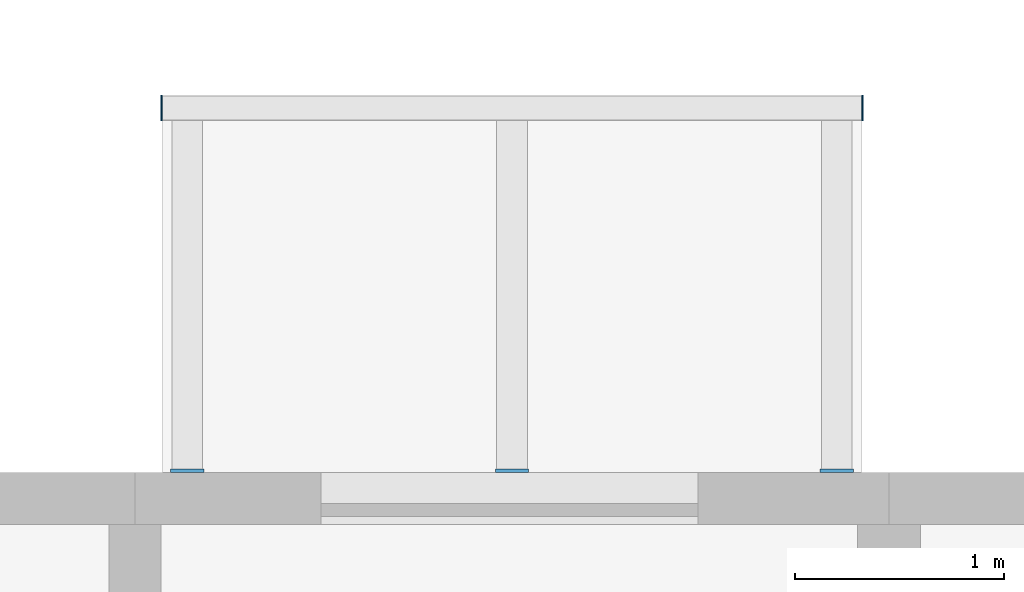
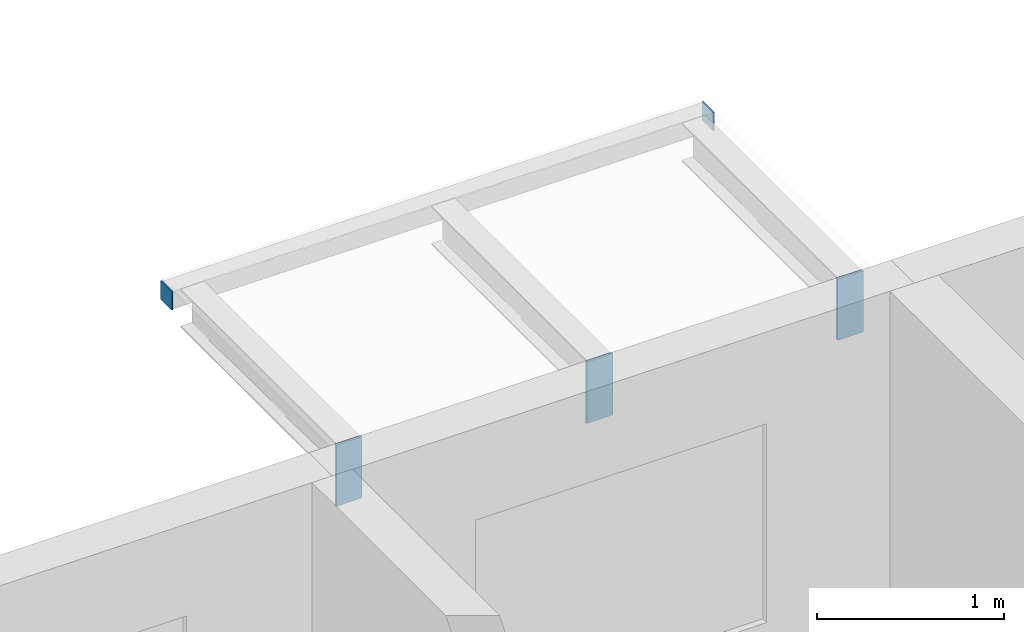
# One storey, part 86 of 115: 5 discrete accessories.
"""IFC4 building model written with IfcOpenShell, lengths in metres."""

from ifc_helpers import new_model, si_unit, direction, frame, origin, origin_2d, place, context, subcontext, project, spatial, rectangle, extrude, material, layer, layer_set, type_object, element, save


model = new_model("IFC4")

# Units and contexts
model_context = context("Model", 3, precision=1e-05, world=origin(), true_north=direction((0.0, 1.0)))
body_context = subcontext(model_context, "Body", "Model", "MODEL_VIEW")
ifc_project = project(units=[si_unit("LENGTHUNIT", "METRE"), si_unit("AREAUNIT", "SQUARE_METRE"), si_unit("VOLUMEUNIT", "CUBIC_METRE"), si_unit("PLANEANGLEUNIT", "RADIAN"), si_unit("MASSUNIT", "GRAM", prefix="KILO")], contexts=[model_context])

# Site, building, storey
site_placement = place(None, origin())
site = spatial("IfcSite", under=ifc_project, at=site_placement, CompositionType="ELEMENT")
building_placement = place(site_placement, origin())
building = spatial("IfcBuilding", under=site, at=building_placement, Name="Ridgestep Commons", CompositionType="ELEMENT")
storey_placement = place(building_placement, frame((0.0, 0.0, 6.0)))
storey = spatial("IfcBuildingStorey", under=building, at=storey_placement, Name="L02", CompositionType="ELEMENT", Elevation=6.0)

# Discrete accessories
ifc_material_1 = material(Name="Weathering steel S355J2W", Category="steel")
ifc_layer_1 = layer(ifc_material_1, 0.014892578125)
ifc_layer_set_1 = layer_set([ifc_layer_1], Name="Tray bracket plate 15")
discrete_accessory_type_1 = type_object("IfcDiscreteAccessoryType", Name="Tray bracket plate 15", PredefinedType="BRACKET", material=ifc_layer_set_1)
for number, where, z_axis, x_axis, name in (
    (1, (227.449951171875, 23.007568359375, 2.588623046875), (0.0, 0.0, 1.0), (1.0, 0.0, 0.0), "Tray bracket D5T1-03.1"),
    (2, (229.0, 23.007568359375, 2.588623046875), (0.0, 0.0, 1.0), (1.0, 0.0, 0.0), "Tray bracket D5T1-03.2"),
    (3, (230.550048828125, 23.007568359375, 2.588623046875), (0.0, 0.0, 1.0), (1.0, 0.0, 0.0), "Tray bracket D5T1-03.3"),
):
    element("IfcDiscreteAccessory", number, at=place(storey_placement, frame(where, z_axis=z_axis, x_axis=x_axis)), inside=storey, type_object=discrete_accessory_type_1, Name=name, PredefinedType="BRACKET", context=body_context, shape_type="SweptSolid", body=[
        extrude(rectangle(XDim=0.159912109375, YDim=0.014892578125, at=origin_2d()), origin(), (0.0, 0.0, 1.0), 0.4013671875),
    ])
ifc_material_2 = material(Name="Weathering steel S355J2W", Category="steel")
ifc_layer_2 = layer(ifc_material_2, 0.008056640625)
ifc_layer_set_2 = layer_set([ifc_layer_2], Name="Tray edge member end plate 120 x 120 x 8")
discrete_accessory_type_2 = type_object("IfcDiscreteAccessoryType", Name="Tray edge member end plate 120 x 120 x 8", PredefinedType="BRACKET", material=ifc_layer_set_2)
for number, where, z_axis, x_axis, name in (
    (4, (227.325927734375, 24.739990234375, 2.869873046875), (0.0, 0.0, 1.0), (1.0, 0.0, 0.0), "Tray edge member end plate D5T1-03 west"),
    (5, (230.674072265625, 24.739990234375, 2.869873046875), (0.0, 0.0, 1.0), (1.0, 0.0, 0.0), "Tray edge member end plate D5T1-03 east"),
):
    element("IfcDiscreteAccessory", number, at=place(storey_placement, frame(where, z_axis=z_axis, x_axis=x_axis)), inside=storey, type_object=discrete_accessory_type_2, Name=name, PredefinedType="BRACKET", context=body_context, shape_type="SweptSolid", body=[
        extrude(rectangle(XDim=0.008056640625, YDim=0.1201171875, at=origin_2d()), origin(), (0.0, 0.0, 1.0), 0.1201171875),
    ])

save(model, "model.ifc")
